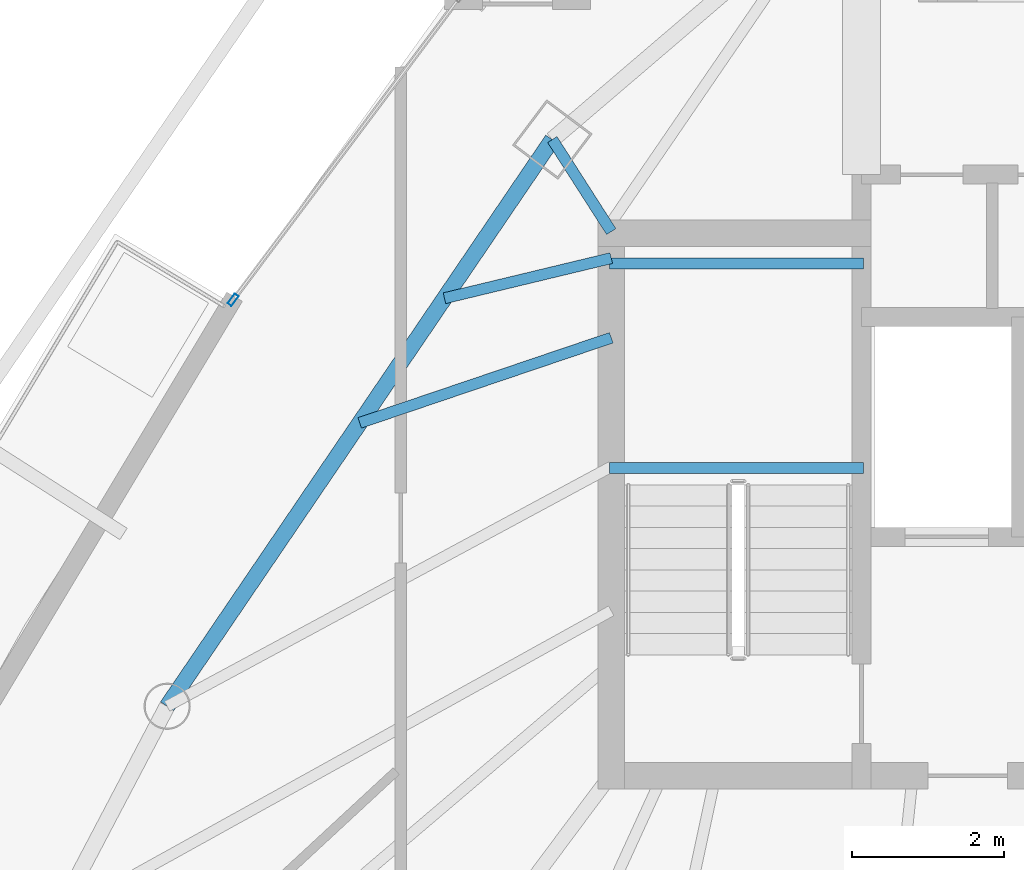
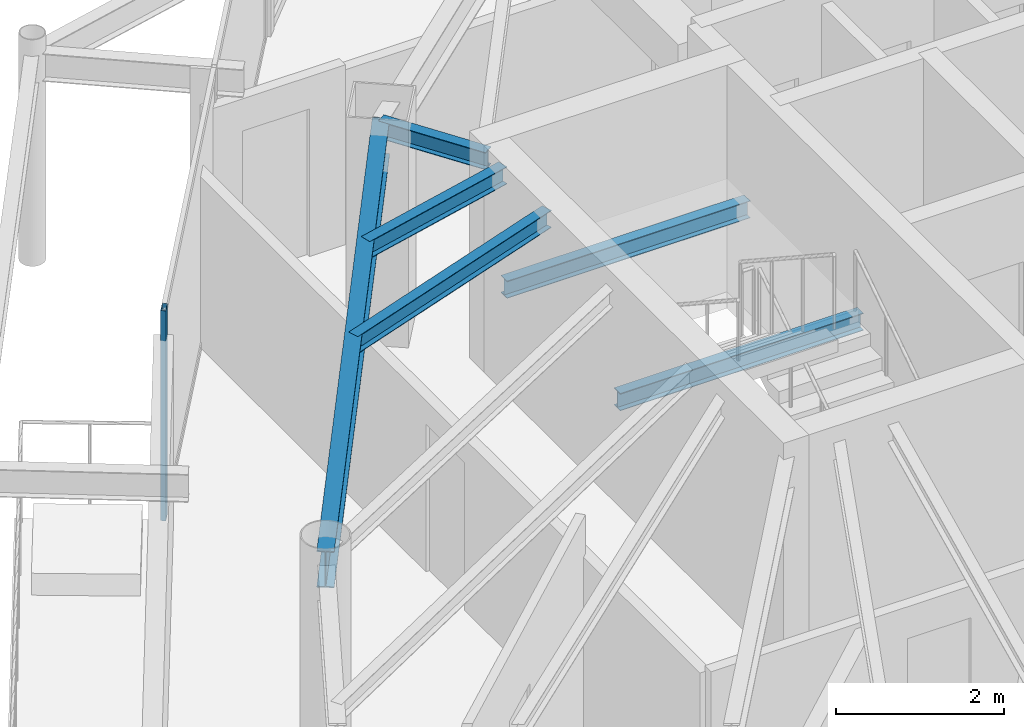
# One storey, part 12 of 32: 6 beams, 1 member, 1 element without a shape of its own.
"""IFC4 building model written with IfcOpenShell, lengths in metres."""

from ifc_helpers import new_model, si_unit, direction, frame, origin, origin_2d, place, context, subcontext, project, spatial, hollow_rectangle, i_section, extrude, material, layer, layer_set, material_profile, profile_set, type_object, element, aggregate, save


model = new_model("IFC4")

# Units and contexts
model_context = context("Model", 3, precision=1e-05, world=origin(), true_north=direction((0.0, 1.0)))
body_context = subcontext(model_context, "Body", "Model", "MODEL_VIEW")
ifc_project = project(units=[si_unit("LENGTHUNIT", "METRE"), si_unit("AREAUNIT", "SQUARE_METRE"), si_unit("VOLUMEUNIT", "CUBIC_METRE"), si_unit("PLANEANGLEUNIT", "RADIAN"), si_unit("MASSUNIT", "GRAM", prefix="KILO")], contexts=[model_context])

# Site, building, storey
site_placement = place(None, origin())
site = spatial("IfcSite", under=ifc_project, at=site_placement, CompositionType="ELEMENT")
building_placement = place(site_placement, origin())
building = spatial("IfcBuilding", under=site, at=building_placement, Name="Orvanel Arch Residences", CompositionType="ELEMENT")
storey_placement = place(building_placement, frame((0.0, 0.0, 216.199951171875)))
storey = spatial("IfcBuildingStorey", under=building, at=storey_placement, Name="L61", CompositionType="ELEMENT", Elevation=216.199951171875)

# Beams
ifc_material_1 = material(Name="Structural steel AS/NZS 3679.1 Grade 300 (300 MPa)", Category="steel")
ifc_material_profile_1 = material_profile(ifc_material_1, i_section(OverallWidth=0.14599609375, OverallDepth=0.251953125, WebThickness=0.006103515625, FlangeThickness=0.008544921875, at=origin_2d()), Name="250UB31.4")
ifc_profile_set_1 = profile_set([ifc_material_profile_1], Name="Structural steel AS/NZS 3679.1 Grade 300 (300 MPa)")
beam_type_1 = type_object("IfcBeamType", Name="BJ-250UB", PredefinedType="JOIST", material=ifc_profile_set_1)
for number, where, z_axis, x_axis, name in (
    (1, (26.39990234375, 30.780029296875, 1.323974609375), (1.0, 0.0, 0.0), (0.0, 1.0, 0.0), "L61 ST-1 Half-Landing Support Beam 1.1"),
    (2, (26.39990234375, 33.47998046875, 1.323974609375), (1.0, 0.0, 0.0), (0.0, 1.0, 0.0), "L61 ST-1 Half-Landing Support Beam 1.2"),
):
    element("IfcBeam", number, at=place(storey_placement, frame(where, z_axis=z_axis, x_axis=x_axis)), inside=storey, type_object=beam_type_1, Name=name, PredefinedType="JOIST", context=body_context, shape_type="SweptSolid", body=[
        extrude(i_section(OverallWidth=0.14599609375, OverallDepth=0.251953125, WebThickness=0.006103515625, FlangeThickness=0.008544921875, at=origin_2d()), origin(), (0.0, 0.0, 1.0), 3.35009765625),
    ])
beam_1_placement = place(storey_placement, frame((26.425048828125, 33.89990234375, 2.93408203125), z_axis=(-0.539395075146, 0.842052820735, 0.0), x_axis=(-0.842052820735, -0.539395075146, 0.0)))
element("IfcBeam", 3, at=beam_1_placement, inside=storey, type_object=beam_type_1, Name="L61 NNW Wing Floor Joist", PredefinedType="JOIST", context=body_context, shape_type="SweptSolid", body=[
    extrude(i_section(OverallWidth=0.14599609375, OverallDepth=0.251953125, WebThickness=0.006103515625, FlangeThickness=0.008544921875, at=origin_2d()), origin(), (0.0, 0.0, 1.0), 1.440673828125),
])
beam_2_placement = place(storey_placement, frame((26.425048828125, 32.5, 2.93408203125), z_axis=(-0.947187956478, -0.320678928373, 0.0), x_axis=(0.320678928373, -0.947187956478, 0.0)))
element("IfcBeam", 4, at=beam_2_placement, inside=storey, type_object=beam_type_1, Name="L61 WNW Wing Floor Joist", PredefinedType="JOIST", context=body_context, shape_type="SweptSolid", body=[
    extrude(i_section(OverallWidth=0.14599609375, OverallDepth=0.251953125, WebThickness=0.006103515625, FlangeThickness=0.008544921875, at=origin_2d()), origin(), (0.0, 0.0, 1.0), 3.502197265625),
])
beam_3_placement = place(storey_placement, frame((26.425048828125, 33.550048828125, 2.93408203125), z_axis=(-0.972256833016, -0.23391590509, 0.0), x_axis=(0.23391590509, -0.972256833016, 0.0)))
element("IfcBeam", 5, at=beam_3_placement, inside=storey, type_object=beam_type_1, Name="L61 JADD3 Wing Floor Joist", PredefinedType="JOIST", context=body_context, shape_type="SweptSolid", body=[
    extrude(i_section(OverallWidth=0.14599609375, OverallDepth=0.251953125, WebThickness=0.006103515625, FlangeThickness=0.008544921875, at=origin_2d()), origin(), (0.0, 0.0, 1.0), 2.26171875),
])

# Curtain wall, member
ifc_material_2 = material(Name="Bronze-anodised aluminium AA6063-T6", Category="aluminium")
ifc_layer = layer(ifc_material_2, 0.175048828125)
ifc_layer_set = layer_set([ifc_layer], Name="Bronze-anodised aluminium AA6063-T6")
curtain_wall_type = type_object("IfcCurtainWallType", Name="CW4-HI-SYS", PredefinedType="NOTDEFINED", material=ifc_layer_set)
curtain_wall_placement = place(storey_placement, origin())
curtain_wall = element("IfcCurtainWall", 6, at=curtain_wall_placement, inside=storey, type_object=curtain_wall_type, Name="L61 CW4-HI-SYS Unitised Curtain Wall", PredefinedType="NOTDEFINED")
ifc_material_profile_2 = material_profile(ifc_material_2, hollow_rectangle(XDim=0.06494140625, YDim=0.159912109375, WallThickness=0.00390625, at=origin_2d()), Name="ALU160x65x4")
ifc_profile_set_2 = profile_set([ifc_material_profile_2], Name="Bronze-anodised aluminium AA6063-T6")
member_type = type_object("IfcMemberType", Name="MUL-160x65", PredefinedType="MULLION", material=ifc_profile_set_2)
member_placement = place(storey_placement, frame((21.439453125, 33.0, 0.0), z_axis=(0.0, 0.0, 1.0), x_axis=(0.800476458044, -0.599364196559, 0.0)))
member = element("IfcMember", 7, at=member_placement, type_object=member_type, Name="CW-S4 mullion 3", PredefinedType="MULLION", context=body_context, shape_type="SweptSolid", body=[
    extrude(hollow_rectangle(XDim=0.06494140625, YDim=0.159912109375, WallThickness=0.00390625, at=origin_2d()), origin(), (0.0, 0.0, 1.0), 3.06005859375),
])
aggregate(curtain_wall, [member])

# Beam
ifc_material_profile_3 = material_profile(ifc_material_1, i_section(OverallWidth=0.208984375, OverallDepth=0.532958984375, WebThickness=0.01025390625, FlangeThickness=0.015625, at=origin_2d()), Name="530UB92.4")
ifc_profile_set_3 = profile_set([ifc_material_profile_3], Name="Structural steel AS/NZS 3679.1 Grade 300 (300 MPa)")
beam_type_2 = type_object("IfcBeamType", Name="SP-530UB", PredefinedType="SPANDREL", material=ifc_profile_set_3)
beam_4_placement = place(storey_placement, frame((25.64794921875, 35.113037109375, 2.79296875), z_axis=(-0.562154793153, -0.827032035978, 0.0), x_axis=(0.827032035978, -0.562154793153, 0.0)))
element("IfcBeam", 8, at=beam_4_placement, inside=storey, type_object=beam_type_2, Name="L61 Perimeter Spandrel Beam 11", PredefinedType="SPANDREL", context=body_context, shape_type="SweptSolid", body=[
    extrude(i_section(OverallWidth=0.208984375, OverallDepth=0.532958984375, WebThickness=0.01025390625, FlangeThickness=0.015625, at=origin_2d()), origin(), (0.0, 0.0, 1.0), 9.03466796875),
])

save(model, "model.ifc")
